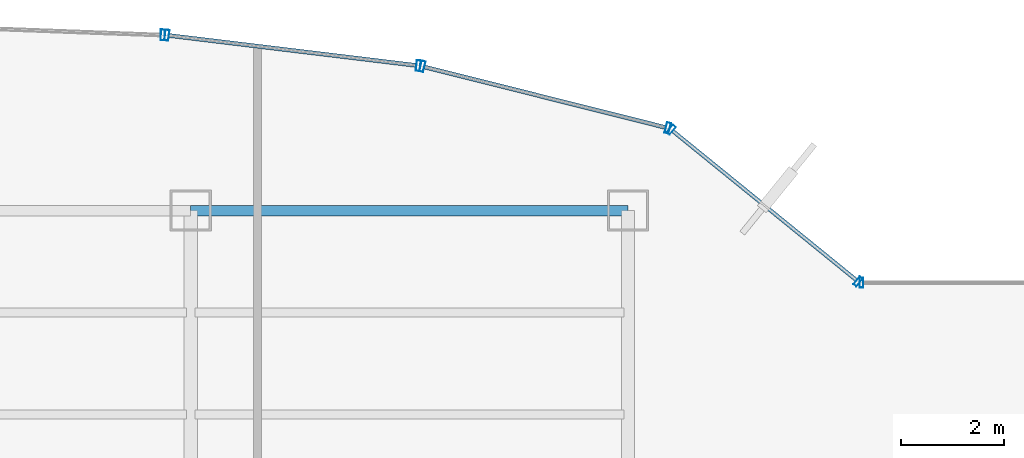
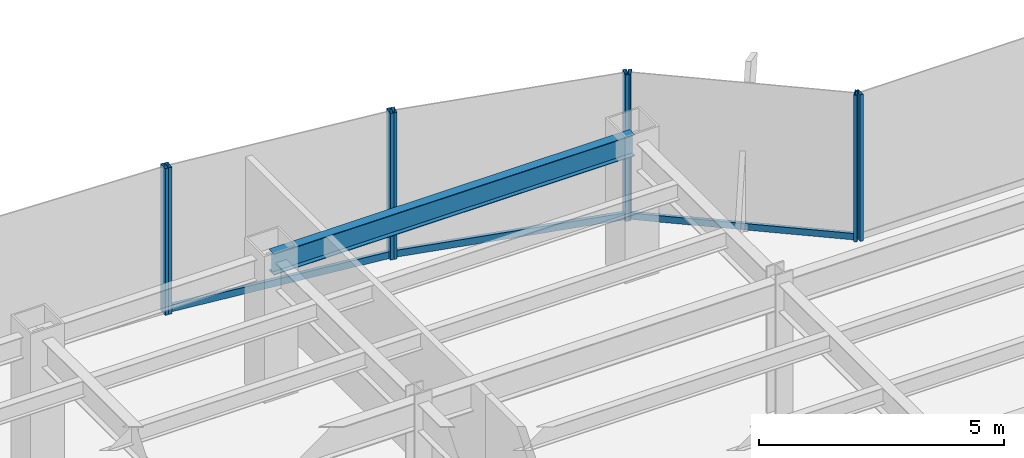
# One storey, part 18 of 26: 11 members, 1 beam, 5 elements without a shape of their own.
"""IFC4 building model written with IfcOpenShell, lengths in metres."""

from ifc_helpers import new_model, si_unit, derived_unit, direction, frame, origin, origin_2d, place, context, subcontext, project, spatial, hollow_rectangle, i_section, extrude, source, transform, mapped, material, material_profile, profile_set, type_object, element, aggregate, save


model = new_model("IFC4")

# Units and contexts
model_context = context("Model", 3, precision=1e-05, world=origin(), true_north=direction((0.0, 1.0)))
body_context = subcontext(model_context, "Body", "Model", "MODEL_VIEW")
ifc_project = project(units=[si_unit("LENGTHUNIT", "METRE"), si_unit("AREAUNIT", "SQUARE_METRE"), si_unit("VOLUMEUNIT", "CUBIC_METRE"), si_unit("PLANEANGLEUNIT", "RADIAN"), si_unit("MASSUNIT", "GRAM", prefix="KILO"), derived_unit("THERMALTRANSMITTANCEUNIT", [(si_unit("POWERUNIT", "WATT"), 1), (si_unit("LENGTHUNIT", "METRE"), -2), (si_unit("THERMODYNAMICTEMPERATUREUNIT", "KELVIN"), -1)])], contexts=[model_context])

# Site, building, storey
site_placement = place(None, origin())
site = spatial("IfcSite", under=ifc_project, at=site_placement, CompositionType="ELEMENT")
building_placement = place(site_placement, origin())
building = spatial("IfcBuilding", under=site, at=building_placement, Name="Skarnbrae Concourse Arena and Tower", CompositionType="ELEMENT")
storey_placement = place(building_placement, frame((0.0, 0.0, 106.89990234375)))
storey = spatial("IfcBuildingStorey", under=building, at=storey_placement, Name="L26", CompositionType="ELEMENT", Elevation=106.89990234375)

# Beam
ifc_material_1 = material(Name="Steel CSA G40.21 350W", Category="steel")
ifc_material_profile_1 = material_profile(ifc_material_1, i_section(OverallWidth=0.208984375, OverallDepth=0.532958984375, WebThickness=0.01025390625, FlangeThickness=0.015625, at=origin_2d()), Name="W530X92")
ifc_profile_set_1 = profile_set([ifc_material_profile_1], Name="Steel CSA G40.21 350W")
beam_type = type_object("IfcBeamType", Name="BM-SPAN-W530X92", PredefinedType="SPANDREL", material=ifc_profile_set_1)
shared_shape_1 = source(origin(), body_context, "Body", "SweptSolid", [
    extrude(i_section(OverallWidth=0.208984375, OverallDepth=0.532958984375, WebThickness=0.01025390625, FlangeThickness=0.015625, at=origin_2d()), origin(), (0.0, 0.0, 1.0), 8.5),
])
beam_placement = place(storey_placement, frame((33.5, 40.39990234375, 3.133544921875), z_axis=(1.0, 0.0, 0.0), x_axis=(0.0, 1.0, 0.0)))
element("IfcBeam", 1, at=beam_placement, inside=storey, type_object=beam_type, Name="L26 Perimeter spandrel Y40.4-4", PredefinedType="SPANDREL", context=body_context, shape_type="MappedRepresentation", body=[
    mapped(shared_shape_1, transform((0.0, 0.0, 0.0))),
])

# Curtain wall, members
ifc_material_2 = material(Name="Bronze anodised aluminium 6063-T6", Category="aluminium")
curtain_wall_type_1 = type_object("IfcCurtainWallType", Name="CW-SYS-03-PORTAL", PredefinedType="USERDEFINED", material=ifc_material_2)
curtain_wall_1_placement = place(storey_placement, origin())
curtain_wall_1 = element("IfcCurtainWall", 2, at=curtain_wall_1_placement, inside=storey, type_object=curtain_wall_type_1, Name="L26 Unitised curtain wall CW-L26-E09", ObjectType="UNITISED CURTAIN WALL", PredefinedType="USERDEFINED")
ifc_material_profile_2 = material_profile(ifc_material_2, hollow_rectangle(XDim=0.080078125, YDim=0.2099609375, WallThickness=0.00439453125, at=origin_2d()), Name="ALU-MULL-80X210")
ifc_profile_set_2 = profile_set([ifc_material_profile_2], Name="Bronze anodised aluminium 6063-T6")
member_type_1 = type_object("IfcMemberType", Name="CWM-CW-03", PredefinedType="MULLION", material=ifc_profile_set_2)
shared_shape_2 = source(origin(), body_context, "Body", "SweptSolid", [
    extrude(hollow_rectangle(XDim=0.080078125, YDim=0.2099609375, WallThickness=0.00439453125, at=origin_2d()), origin(), (0.0, 0.0, 1.0), 3.650146484375),
])
member_1_placement = place(storey_placement, frame((42.772216796875, 42.005615234375, 0.0), z_axis=(0.0, 0.0, 1.0), x_axis=(-0.969903046166, 0.243491439351, 0.0)))
member_1 = element("IfcMember", 3, at=member_1_placement, type_object=member_type_1, Name="CW-L26-E09 Mullion 1", PredefinedType="MULLION", context=body_context, shape_type="MappedRepresentation", body=[
    mapped(shared_shape_2, transform((0.0, 0.0, 0.0))),
])
member_2_placement = place(storey_placement, frame((38.0029296875, 43.203125, 0.0), z_axis=(0.0, 0.0, 1.0), x_axis=(-0.969903046166, 0.243491439351, 0.0)))
member_2 = element("IfcMember", 4, at=member_2_placement, type_object=member_type_1, Name="CW-L26-E09 Mullion 2", PredefinedType="MULLION", context=body_context, shape_type="MappedRepresentation", body=[
    mapped(shared_shape_2, transform((0.0, 0.0, 0.0))),
])

curtain_wall_2_placement = place(storey_placement, origin())
curtain_wall_2 = element("IfcCurtainWall", 5, at=curtain_wall_2_placement, inside=storey, type_object=curtain_wall_type_1, Name="L26 Unitised curtain wall CW-L26-E10", ObjectType="UNITISED CURTAIN WALL", PredefinedType="USERDEFINED")
member_3_placement = place(storey_placement, frame((37.924560546875, 43.217529296875, 0.0), z_axis=(0.0, 0.0, 1.0), x_axis=(-0.992749371969, 0.120202680731, 0.0)))
member_3 = element("IfcMember", 6, at=member_3_placement, type_object=member_type_1, Name="CW-L26-E10 Mullion 1", PredefinedType="MULLION", context=body_context, shape_type="MappedRepresentation", body=[
    mapped(shared_shape_2, transform((0.0, 0.0, 0.0))),
])
member_4_placement = place(storey_placement, frame((33.03857421875, 43.80908203125, 0.0), z_axis=(0.0, 0.0, 1.0), x_axis=(-0.992749371969, 0.120202680731, 0.0)))
member_4 = element("IfcMember", 7, at=member_4_placement, type_object=member_type_1, Name="CW-L26-E10 Mullion 2", PredefinedType="MULLION", context=body_context, shape_type="MappedRepresentation", body=[
    mapped(shared_shape_2, transform((0.0, 0.0, 0.0))),
])

# Curtain wall, member
curtain_wall_3_placement = place(storey_placement, origin())
curtain_wall_3 = element("IfcCurtainWall", 8, at=curtain_wall_3_placement, inside=storey, type_object=curtain_wall_type_1, Name="L26 Unitised curtain wall CW-L26-E11", ObjectType="UNITISED CURTAIN WALL", PredefinedType="USERDEFINED")
member_5_placement = place(storey_placement, frame((32.958984375, 43.8154296875, 0.0), z_axis=(0.0, 0.0, 1.0), x_axis=(-0.999308486252, 0.037182647889, 0.0)))
member_5 = element("IfcMember", 9, at=member_5_placement, type_object=member_type_1, Name="CW-L26-E11 Mullion 1", PredefinedType="MULLION", context=body_context, shape_type="MappedRepresentation", body=[
    mapped(shared_shape_2, transform((0.0, 0.0, 0.0))),
])
aggregate(curtain_wall_3, [member_5])

curtain_wall_type_2 = type_object("IfcCurtainWallType", Name="CW-SYS-04-MIDZONE", PredefinedType="USERDEFINED", material=ifc_material_2)
curtain_wall_4_placement = place(storey_placement, origin())
curtain_wall_4 = element("IfcCurtainWall", 10, at=curtain_wall_4_placement, inside=storey, type_object=curtain_wall_type_2, Name="L26 Unitised curtain wall CW-L26-E07", ObjectType="UNITISED CURTAIN WALL", PredefinedType="USERDEFINED")
ifc_material_profile_3 = material_profile(ifc_material_2, hollow_rectangle(XDim=0.074951171875, YDim=0.195068359375, WallThickness=0.00439453125, at=origin_2d()), Name="ALU-MULL-75X195")
ifc_profile_set_3 = profile_set([ifc_material_profile_3], Name="Bronze anodised aluminium 6063-T6")
member_type_2 = type_object("IfcMemberType", Name="CWM-CW-04", PredefinedType="MULLION", material=ifc_profile_set_3)
shared_shape_3 = source(origin(), body_context, "Body", "SweptSolid", [
    extrude(hollow_rectangle(XDim=0.074951171875, YDim=0.195068359375, WallThickness=0.00439453125, at=origin_2d()), origin(), (0.0, 0.0, 1.0), 3.650146484375),
])
member_6_placement = place(storey_placement, frame((46.53759765625, 39.0, 0.0), z_axis=(0.0, 0.0, 1.0), x_axis=(-1.0, 0.0, 0.0)))
member_6 = element("IfcMember", 11, at=member_6_placement, type_object=member_type_2, Name="CW-L26-E07 Mullion 2", PredefinedType="MULLION", context=body_context, shape_type="MappedRepresentation", body=[
    mapped(shared_shape_3, transform((0.0, 0.0, 0.0))),
])
aggregate(curtain_wall_4, [member_6])

# Curtain wall, members
curtain_wall_5_placement = place(storey_placement, origin())
curtain_wall_5 = element("IfcCurtainWall", 12, at=curtain_wall_5_placement, inside=storey, type_object=curtain_wall_type_2, Name="L26 Unitised curtain wall CW-L26-E08", ObjectType="UNITISED CURTAIN WALL", PredefinedType="USERDEFINED")
member_7_placement = place(storey_placement, frame((46.470947265625, 39.023681640625, 0.0), z_axis=(0.0, 0.0, 1.0), x_axis=(-0.776241200471, 0.630436038542, 0.0)))
member_7 = element("IfcMember", 13, at=member_7_placement, type_object=member_type_2, Name="CW-L26-E08 Mullion 1", PredefinedType="MULLION", context=body_context, shape_type="MappedRepresentation", body=[
    mapped(shared_shape_3, transform((0.0, 0.0, 0.0))),
])
member_8_placement = place(storey_placement, frame((42.840087890625, 41.972412109375, 0.0), z_axis=(0.0, 0.0, 1.0), x_axis=(-0.776241200471, 0.630436038542, 0.0)))
member_8 = element("IfcMember", 14, at=member_8_placement, type_object=member_type_2, Name="CW-L26-E08 Mullion 2", PredefinedType="MULLION", context=body_context, shape_type="MappedRepresentation", body=[
    mapped(shared_shape_3, transform((0.0, 0.0, 0.0))),
])
ifc_material_profile_4 = material_profile(ifc_material_2, hollow_rectangle(XDim=0.074951171875, YDim=0.159912109375, WallThickness=0.00439453125, at=origin_2d()), Name="ALU-TRAN-75X160")
ifc_profile_set_4 = profile_set([ifc_material_profile_4], Name="Bronze anodised aluminium 6063-T6")
member_type_3 = type_object("IfcMemberType", Name="CWT-CW-04", PredefinedType="USERDEFINED", material=ifc_profile_set_4)
shared_shape_4 = source(origin(), body_context, "Body", "SweptSolid", [
    extrude(hollow_rectangle(XDim=0.074951171875, YDim=0.159912109375, WallThickness=0.00439453125, at=origin_2d()), origin(), (0.0, 0.0, 1.0), 4.602294921875),
])
member_9_placement = place(storey_placement, frame((46.44189453125, 39.04736328125, 0.080078125), z_axis=(-0.776251906445, 0.630422856297, 0.0), x_axis=(-0.630422856297, -0.776251906445, 0.0)))
member_9 = element("IfcMember", 15, at=member_9_placement, type_object=member_type_3, Name="CW-L26-E08 Transom 1", ObjectType="TRANSOM", PredefinedType="USERDEFINED", context=body_context, shape_type="MappedRepresentation", body=[
    mapped(shared_shape_4, transform((0.0, 0.0, 0.0))),
])
aggregate(curtain_wall_5, [member_7, member_8, member_9])

# Member
ifc_material_profile_5 = material_profile(ifc_material_2, hollow_rectangle(XDim=0.080078125, YDim=0.169921875, WallThickness=0.00439453125, at=origin_2d()), Name="ALU-TRAN-80X170")
ifc_profile_set_5 = profile_set([ifc_material_profile_5], Name="Bronze anodised aluminium 6063-T6")
member_type_4 = type_object("IfcMemberType", Name="CWT-CW-03", PredefinedType="USERDEFINED", material=ifc_profile_set_5)
shared_shape_5 = source(origin(), body_context, "Body", "SweptSolid", [
    extrude(hollow_rectangle(XDim=0.080078125, YDim=0.169921875, WallThickness=0.00439453125, at=origin_2d()), origin(), (0.0, 0.0, 1.0), 4.837158203125),
])
member_10_placement = place(storey_placement, frame((42.7333984375, 42.015380859375, 0.085205078125), z_axis=(-0.969895583622, 0.243521163084, 0.0), x_axis=(-0.243521163084, -0.969895583622, 0.0)))
member_10 = element("IfcMember", 16, at=member_10_placement, type_object=member_type_4, Name="CW-L26-E09 Transom 1", ObjectType="TRANSOM", PredefinedType="USERDEFINED", context=body_context, shape_type="MappedRepresentation", body=[
    mapped(shared_shape_5, transform((0.0, 0.0, 0.0))),
])

aggregate(curtain_wall_1, [member_1, member_2, member_10])

shared_shape_6 = source(origin(), body_context, "Body", "SweptSolid", [
    extrude(hollow_rectangle(XDim=0.080078125, YDim=0.169921875, WallThickness=0.00439453125, at=origin_2d()), origin(), (0.0, 0.0, 1.0), 4.841552734375),
])
member_11_placement = place(storey_placement, frame((37.884765625, 43.222412109375, 0.085205078125), z_axis=(-0.992747648444, 0.120216914405, 0.0), x_axis=(-0.120216914405, -0.992747648444, 0.0)))
member_11 = element("IfcMember", 17, at=member_11_placement, type_object=member_type_4, Name="CW-L26-E10 Transom 1", ObjectType="TRANSOM", PredefinedType="USERDEFINED", context=body_context, shape_type="MappedRepresentation", body=[
    mapped(shared_shape_6, transform((0.0, 0.0, 0.0))),
])

aggregate(curtain_wall_2, [member_3, member_4, member_11])

save(model, "model.ifc")
